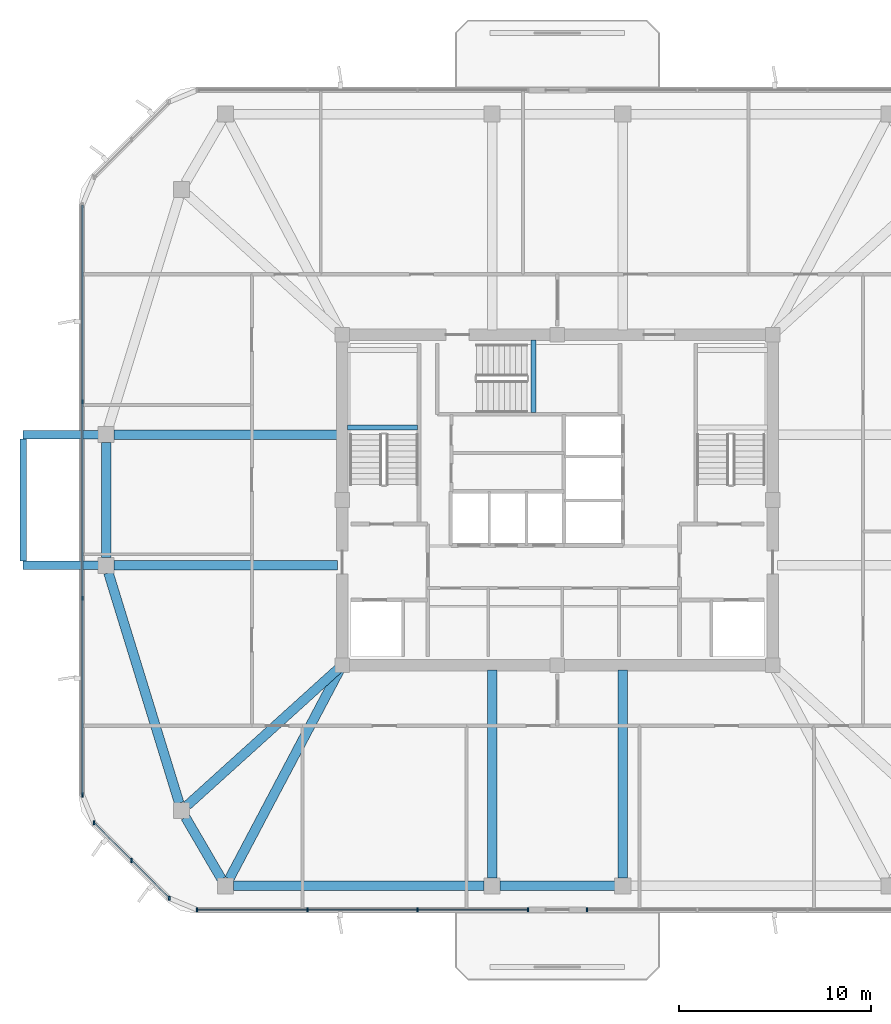
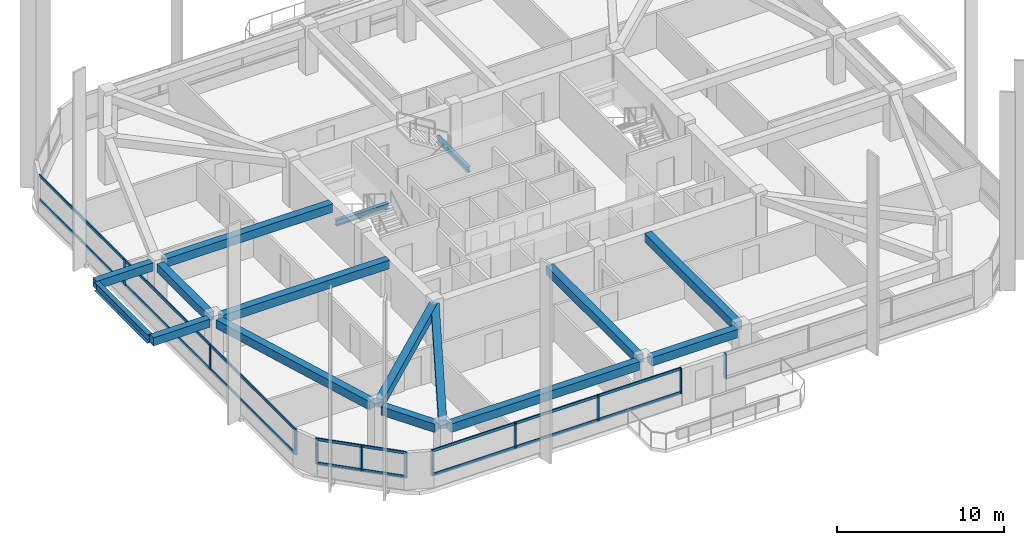
# One storey, part 2 of 12: 17 members, 16 beams, 4 elements without a shape of their own.
"""IFC4 building model written with IfcOpenShell, lengths in metres."""

from ifc_helpers import new_model, si_unit, derived_unit, direction, frame, origin, origin_2d, place, context, subcontext, project, spatial, rectangle, i_section, extrude, material, material_profile, profile_set, type_object, element, aggregate, save


model = new_model("IFC4")

# Units and contexts
model_context = context("Model", 3, precision=1e-05, world=origin(), true_north=direction((0.0, 1.0)))
body_context = subcontext(model_context, "Body", "Model", "MODEL_VIEW")
ifc_project = project(units=[si_unit("LENGTHUNIT", "METRE"), si_unit("AREAUNIT", "SQUARE_METRE"), si_unit("VOLUMEUNIT", "CUBIC_METRE"), si_unit("PLANEANGLEUNIT", "RADIAN"), si_unit("MASSUNIT", "GRAM", prefix="KILO"), derived_unit("THERMALTRANSMITTANCEUNIT", [(si_unit("POWERUNIT", "WATT"), 1), (si_unit("LENGTHUNIT", "METRE"), -2), (si_unit("THERMODYNAMICTEMPERATUREUNIT", "KELVIN"), -1)])], contexts=[model_context])

# Site, building, storey
site_placement = place(None, origin())
site = spatial("IfcSite", under=ifc_project, at=site_placement, CompositionType="ELEMENT")
building_placement = place(site_placement, origin())
building = spatial("IfcBuilding", under=site, at=building_placement, Name="Koralith Skygarden Medical Center", CompositionType="ELEMENT")
storey_placement = place(building_placement, frame((0.0, 0.0, 268.02001953125)))
storey = spatial("IfcBuildingStorey", under=building, at=storey_placement, Name="L69", CompositionType="ELEMENT", Elevation=268.02001953125)

# Curtain wall, members
ifc_material_1 = material(Name="Clear Laminated Glass", Category="glass")
curtain_wall_type = type_object("IfcCurtainWallType", Name="CW-6 Zone 5 Upper Clinical Curtain Wall", PredefinedType="NOTDEFINED", material=ifc_material_1)
curtain_wall_1_placement = place(storey_placement, origin())
curtain_wall_1 = element("IfcCurtainWall", 1, at=curtain_wall_1_placement, inside=storey, type_object=curtain_wall_type, Name="Curtain Wall CW-L69-S-L", PredefinedType="NOTDEFINED")
ifc_material_2 = material(Name="Aluminium 6063-T6", Category="aluminium")
ifc_material_profile_1 = material_profile(ifc_material_2, rectangle(XDim=0.0830078125, YDim=0.219970703125, at=origin_2d()), Name="MUL83X220")
ifc_profile_set_1 = profile_set([ifc_material_profile_1], Name="Aluminium 6063-T6")
member_type_1 = type_object("IfcMemberType", Name="CW-6 Extruded Mullion 83x220", PredefinedType="MULLION", material=ifc_profile_set_1)
member_1_placement = place(storey_placement, frame((18.2548828125, 4.580078125, 0.85009765625), z_axis=(0.0, 0.0, 1.0), x_axis=(1.0, 0.0, 0.0)))
member_1 = element("IfcMember", 2, at=member_1_placement, type_object=member_type_1, Name="CW-L69-S-L Mullion 1", PredefinedType="MULLION", context=body_context, shape_type="SweptSolid", body=[
    extrude(rectangle(XDim=0.0830078125, YDim=0.219970703125, at=origin_2d()), origin(), (0.0, 0.0, 1.0), 1.83984375),
])
member_2_placement = place(storey_placement, frame((23.989990234375, 4.580078125, 0.85009765625), z_axis=(0.0, 0.0, 1.0), x_axis=(1.0, 0.0, 0.0)))
member_2 = element("IfcMember", 3, at=member_2_placement, type_object=member_type_1, Name="CW-L69-S-L Mullion 2", PredefinedType="MULLION", context=body_context, shape_type="SweptSolid", body=[
    extrude(rectangle(XDim=0.0830078125, YDim=0.219970703125, at=origin_2d()), origin(), (0.0, 0.0, 1.0), 1.83984375),
])
member_3_placement = place(storey_placement, frame((29.72412109375, 4.580078125, 0.85009765625), z_axis=(0.0, 0.0, 1.0), x_axis=(1.0, 0.0, 0.0)))
member_3 = element("IfcMember", 4, at=member_3_placement, type_object=member_type_1, Name="CW-L69-S-L Mullion 3", PredefinedType="MULLION", context=body_context, shape_type="SweptSolid", body=[
    extrude(rectangle(XDim=0.0830078125, YDim=0.219970703125, at=origin_2d()), origin(), (0.0, 0.0, 1.0), 1.83984375),
])
member_4_placement = place(storey_placement, frame((35.458984375, 4.580078125, 0.85009765625), z_axis=(0.0, 0.0, 1.0), x_axis=(1.0, 0.0, 0.0)))
member_4 = element("IfcMember", 5, at=member_4_placement, type_object=member_type_1, Name="CW-L69-S-L Mullion 4", PredefinedType="MULLION", context=body_context, shape_type="SweptSolid", body=[
    extrude(rectangle(XDim=0.0830078125, YDim=0.219970703125, at=origin_2d()), origin(), (0.0, 0.0, 1.0), 1.83984375),
])

# Curtain wall, member
curtain_wall_2_placement = place(storey_placement, origin())
curtain_wall_2 = element("IfcCurtainWall", 6, at=curtain_wall_2_placement, inside=storey, type_object=curtain_wall_type, Name="Curtain Wall CW-L69-S-R", PredefinedType="NOTDEFINED")
member_5_placement = place(storey_placement, frame((38.5390625, 4.580078125, 0.85009765625), z_axis=(0.0, 0.0, 1.0), x_axis=(1.0, 0.0, 0.0)))
member_5 = element("IfcMember", 7, at=member_5_placement, type_object=member_type_1, Name="CW-L69-S-R Mullion 1", PredefinedType="MULLION", context=body_context, shape_type="SweptSolid", body=[
    extrude(rectangle(XDim=0.0830078125, YDim=0.219970703125, at=origin_2d()), origin(), (0.0, 0.0, 1.0), 1.83984375),
])
aggregate(curtain_wall_2, [member_5])

# Curtain wall, members
curtain_wall_3_placement = place(storey_placement, origin())
curtain_wall_3 = element("IfcCurtainWall", 8, at=curtain_wall_3_placement, inside=storey, type_object=curtain_wall_type, Name="Curtain Wall CW-L69-W", PredefinedType="NOTDEFINED")
member_6_placement = place(storey_placement, frame((12.280029296875, 31.014892578125, 0.85009765625), z_axis=(0.0, 0.0, 1.0), x_axis=(1.0, 0.0, 0.0)))
member_6 = element("IfcMember", 9, at=member_6_placement, type_object=member_type_1, Name="CW-L69-W Mullion 2", PredefinedType="MULLION", context=body_context, shape_type="SweptSolid", body=[
    extrude(rectangle(XDim=0.0830078125, YDim=0.219970703125, at=origin_2d()), origin(), (0.0, 0.0, 1.0), 1.83984375),
])
member_7_placement = place(storey_placement, frame((12.280029296875, 20.784912109375, 0.85009765625), z_axis=(0.0, 0.0, 1.0), x_axis=(1.0, 0.0, 0.0)))
member_7 = element("IfcMember", 10, at=member_7_placement, type_object=member_type_1, Name="CW-L69-W Mullion 3", PredefinedType="MULLION", context=body_context, shape_type="SweptSolid", body=[
    extrude(rectangle(XDim=0.0830078125, YDim=0.219970703125, at=origin_2d()), origin(), (0.0, 0.0, 1.0), 1.83984375),
])
member_8_placement = place(storey_placement, frame((12.280029296875, 10.554931640625, 0.85009765625), z_axis=(0.0, 0.0, 1.0), x_axis=(1.0, 0.0, 0.0)))
member_8 = element("IfcMember", 11, at=member_8_placement, type_object=member_type_1, Name="CW-L69-W Mullion 4", PredefinedType="MULLION", context=body_context, shape_type="SweptSolid", body=[
    extrude(rectangle(XDim=0.0830078125, YDim=0.219970703125, at=origin_2d()), origin(), (0.0, 0.0, 1.0), 1.83984375),
])

curtain_wall_4_placement = place(storey_placement, origin())
curtain_wall_4 = element("IfcCurtainWall", 12, at=curtain_wall_4_placement, inside=storey, type_object=curtain_wall_type, Name="Curtain Wall CW-L69-SW", PredefinedType="NOTDEFINED")
member_9_placement = place(storey_placement, frame((12.881103515625, 9.10400390625, 0.85009765625), z_axis=(0.0, 0.0, 1.0), x_axis=(1.0, 0.0, 0.0)))
member_9 = element("IfcMember", 13, at=member_9_placement, type_object=member_type_1, Name="CW-L69-SW Mullion 1", PredefinedType="MULLION", context=body_context, shape_type="SweptSolid", body=[
    extrude(rectangle(XDim=0.0830078125, YDim=0.219970703125, at=origin_2d()), origin(), (0.0, 0.0, 1.0), 1.83984375),
])
member_10_placement = place(storey_placement, frame((14.842041015625, 7.14306640625, 0.85009765625), z_axis=(0.0, 0.0, 1.0), x_axis=(1.0, 0.0, 0.0)))
member_10 = element("IfcMember", 14, at=member_10_placement, type_object=member_type_1, Name="CW-L69-SW Mullion 2", PredefinedType="MULLION", context=body_context, shape_type="SweptSolid", body=[
    extrude(rectangle(XDim=0.0830078125, YDim=0.219970703125, at=origin_2d()), origin(), (0.0, 0.0, 1.0), 1.83984375),
])
member_11_placement = place(storey_placement, frame((16.803955078125, 5.180908203125, 0.85009765625), z_axis=(0.0, 0.0, 1.0), x_axis=(1.0, 0.0, 0.0)))
member_11 = element("IfcMember", 15, at=member_11_placement, type_object=member_type_1, Name="CW-L69-SW Mullion 3", PredefinedType="MULLION", context=body_context, shape_type="SweptSolid", body=[
    extrude(rectangle(XDim=0.0830078125, YDim=0.219970703125, at=origin_2d()), origin(), (0.0, 0.0, 1.0), 1.83984375),
])

# Member
ifc_material_profile_2 = material_profile(ifc_material_2, rectangle(XDim=0.077880859375, YDim=0.197998046875, at=origin_2d()), Name="TRN78X198")
ifc_profile_set_2 = profile_set([ifc_material_profile_2], Name="Aluminium 6063-T6")
member_type_2 = type_object("IfcMemberType", Name="CW-6 Thermal Transom 78x198", PredefinedType="USERDEFINED", material=ifc_profile_set_2)
member_12_placement = place(storey_placement, frame((18.2548828125, 4.580078125, 0.89990234375), z_axis=(1.0, 0.0, 0.0), x_axis=(0.0, 1.0, 0.0)))
member_12 = element("IfcMember", 16, at=member_12_placement, type_object=member_type_2, Name="CW-L69-S-L Transom 1", ObjectType="TRANSOM", PredefinedType="USERDEFINED", context=body_context, shape_type="SweptSolid", body=[
    extrude(rectangle(XDim=0.077880859375, YDim=0.197998046875, at=origin_2d()), origin(), (0.0, 0.0, 1.0), 17.2041015625),
])

member_13_placement = place(storey_placement, frame((18.2548828125, 4.580078125, 2.639892578125), z_axis=(1.0, 0.0, 0.0), x_axis=(0.0, 1.0, 0.0)))
member_13 = element("IfcMember", 17, at=member_13_placement, type_object=member_type_2, Name="CW-L69-S-L Transom 2", ObjectType="TRANSOM", PredefinedType="USERDEFINED", context=body_context, shape_type="SweptSolid", body=[
    extrude(rectangle(XDim=0.077880859375, YDim=0.197998046875, at=origin_2d()), origin(), (0.0, 0.0, 1.0), 17.2041015625),
])

aggregate(curtain_wall_1, [member_1, member_2, member_3, member_4, member_12, member_13])

member_14_placement = place(storey_placement, frame((12.280029296875, 41.2451171875, 0.89990234375), z_axis=(0.0, -1.0, 0.0), x_axis=(1.0, 0.0, 0.0)))
member_14 = element("IfcMember", 18, at=member_14_placement, type_object=member_type_2, Name="CW-L69-W Transom 1", ObjectType="TRANSOM", PredefinedType="USERDEFINED", context=body_context, shape_type="SweptSolid", body=[
    extrude(rectangle(XDim=0.077880859375, YDim=0.197998046875, at=origin_2d()), origin(), (0.0, 0.0, 1.0), 30.690185546875),
])

member_15_placement = place(storey_placement, frame((12.280029296875, 41.2451171875, 2.639892578125), z_axis=(0.0, -1.0, 0.0), x_axis=(1.0, 0.0, 0.0)))
member_15 = element("IfcMember", 19, at=member_15_placement, type_object=member_type_2, Name="CW-L69-W Transom 2", ObjectType="TRANSOM", PredefinedType="USERDEFINED", context=body_context, shape_type="SweptSolid", body=[
    extrude(rectangle(XDim=0.077880859375, YDim=0.197998046875, at=origin_2d()), origin(), (0.0, 0.0, 1.0), 30.690185546875),
])

aggregate(curtain_wall_3, [member_6, member_7, member_8, member_14, member_15])

member_16_placement = place(storey_placement, frame((12.881103515625, 9.10400390625, 0.89990234375), z_axis=(0.707084777957, -0.707128783731, 0.0), x_axis=(0.707128783731, 0.707084777957, 0.0)))
member_16 = element("IfcMember", 20, at=member_16_placement, type_object=member_type_2, Name="CW-L69-SW Transom 1", ObjectType="TRANSOM", PredefinedType="USERDEFINED", context=body_context, shape_type="SweptSolid", body=[
    extrude(rectangle(XDim=0.077880859375, YDim=0.197998046875, at=origin_2d()), origin(), (0.0, 0.0, 1.0), 5.5478515625),
])

member_17_placement = place(storey_placement, frame((12.881103515625, 9.10400390625, 2.639892578125), z_axis=(0.707084777957, -0.707128783731, 0.0), x_axis=(0.707128783731, 0.707084777957, 0.0)))
member_17 = element("IfcMember", 21, at=member_17_placement, type_object=member_type_2, Name="CW-L69-SW Transom 2", ObjectType="TRANSOM", PredefinedType="USERDEFINED", context=body_context, shape_type="SweptSolid", body=[
    extrude(rectangle(XDim=0.077880859375, YDim=0.197998046875, at=origin_2d()), origin(), (0.0, 0.0, 1.0), 5.5478515625),
])

aggregate(curtain_wall_4, [member_9, member_10, member_11, member_16, member_17])

# Beams
ifc_material_3 = material(Name="Steel ASTM A992 Grade 50", Category="steel")
ifc_material_profile_3 = material_profile(ifc_material_3, i_section(OverallWidth=0.326904296875, OverallDepth=0.6220703125, WebThickness=0.015380859375, FlangeThickness=0.0244140625, at=origin_2d()), Name="W24X131")
ifc_profile_set_3 = profile_set([ifc_material_profile_3], Name="Steel ASTM A992 Grade 50")
beam_type_1 = type_object("IfcBeamType", Name="Cantilever Tie Beam W24X131", PredefinedType="BEAM", material=ifc_profile_set_3)
beam_1_placement = place(storey_placement, frame((9.199951171875, 22.719970703125, 3.029052734375), z_axis=(0.0, 1.0, 0.0), x_axis=(-1.0, 0.0, 0.0)))
element("IfcBeam", 22, at=beam_1_placement, inside=storey, type_object=beam_type_1, Name="L70 W Balcony Tip Tie Beam", PredefinedType="BEAM", context=body_context, shape_type="SweptSolid", body=[
    extrude(i_section(OverallWidth=0.326904296875, OverallDepth=0.6220703125, WebThickness=0.015380859375, FlangeThickness=0.0244140625, at=origin_2d()), origin(), (0.0, 0.0, 1.0), 6.360107421875),
])
ifc_material_profile_4 = material_profile(ifc_material_3, i_section(OverallWidth=0.260009765625, OverallDepth=0.4150390625, WebThickness=0.010009765625, FlangeThickness=0.016845703125, at=origin_2d()), Name="W16X67")
ifc_profile_set_4 = profile_set([ifc_material_profile_4], Name="Steel ASTM A992 Grade 50")
beam_type_2 = type_object("IfcBeamType", Name="Clinical Floor Joist W16X67", PredefinedType="JOIST", material=ifc_profile_set_4)
beam_2_placement = place(storey_placement, frame((26.080078125, 29.659912109375, 1.39306640625), z_axis=(1.0, 0.0, 0.0), x_axis=(0.0, 1.0, 0.0)))
element("IfcBeam", 23, at=beam_2_placement, inside=storey, type_object=beam_type_2, Name="L69 Stair ST1 Half-Landing Support Beam 1A", PredefinedType="JOIST", context=body_context, shape_type="SweptSolid", body=[
    extrude(i_section(OverallWidth=0.260009765625, OverallDepth=0.4150390625, WebThickness=0.010009765625, FlangeThickness=0.016845703125, at=origin_2d()), origin(), (0.0, 0.0, 1.0), 3.639892578125),
])
beam_3_placement = place(storey_placement, frame((35.760009765625, 30.43994140625, 1.39306640625), z_axis=(0.0, 1.0, 0.0), x_axis=(-1.0, 0.0, 0.0)))
element("IfcBeam", 24, at=beam_3_placement, inside=storey, type_object=beam_type_2, Name="L69 Stair ST3 Half-Landing Support Beam 1A", PredefinedType="JOIST", context=body_context, shape_type="SweptSolid", body=[
    extrude(i_section(OverallWidth=0.260009765625, OverallDepth=0.4150390625, WebThickness=0.010009765625, FlangeThickness=0.016845703125, at=origin_2d()), origin(), (0.0, 0.0, 1.0), 3.780029296875),
])
ifc_material_4 = material(Name="Concrete C45/55", Category="concrete")
ifc_material_profile_5 = material_profile(ifc_material_4, rectangle(XDim=0.449951171875, YDim=0.60009765625, at=origin_2d()), Name="RCB450X600")
ifc_profile_set_5 = profile_set([ifc_material_profile_5], Name="Concrete C45/55")
beam_type_3 = type_object("IfcBeamType", Name="Planted Balcony Cantilever Beam RCB450X600", PredefinedType="BEAM", material=ifc_profile_set_5)
for number, where, z_axis, x_axis, name in (
    (25, (13.1201171875, 22.5, 3.0400390625), (-1.0, 0.0, 0.0), (0.0, -1.0, 0.0), "L70 W Balcony Cantilever Beam A"),
    (26, (13.1201171875, 29.300048828125, 3.0400390625), (-1.0, 0.0, 0.0), (0.0, -1.0, 0.0), "L70 W Balcony Cantilever Beam B"),
):
    element("IfcBeam", number, at=place(storey_placement, frame(where, z_axis=z_axis, x_axis=x_axis)), inside=storey, type_object=beam_type_3, Name=name, PredefinedType="BEAM", context=body_context, shape_type="SweptSolid", body=[
        extrude(rectangle(XDim=0.449951171875, YDim=0.60009765625, at=origin_2d()), origin(), (0.0, 0.0, 1.0), 3.920166015625),
    ])
ifc_material_profile_6 = material_profile(ifc_material_4, rectangle(XDim=0.5, YDim=0.6201171875, at=origin_2d()), Name="RCB500X620")
ifc_profile_set_6 = profile_set([ifc_material_profile_6], Name="Concrete C45/55")
beam_type_4 = type_object("IfcBeamType", Name="Upper Radial Collector Beam RCB500X620", PredefinedType="BEAM", material=ifc_profile_set_6)
beam_4_placement = place(storey_placement, frame((25.550048828125, 22.5, 3.010009765625), z_axis=(-1.0, 0.0, 0.0), x_axis=(0.0, -1.0, 0.0)))
element("IfcBeam", 27, at=beam_4_placement, inside=storey, type_object=beam_type_4, Name="L69 Radial Collector Beam RB-01", PredefinedType="BEAM", context=body_context, shape_type="SweptSolid", body=[
    extrude(rectangle(XDim=0.5, YDim=0.6201171875, at=origin_2d()), origin(), (0.0, 0.0, 1.0), 11.6201171875),
])
beam_5_placement = place(storey_placement, frame((25.614990234375, 17.132080078125, 3.010009765625), z_axis=(-0.741736323186, -0.670691603397, 0.0), x_axis=(0.670691603397, -0.741736323186, 0.0)))
element("IfcBeam", 28, at=beam_5_placement, inside=storey, type_object=beam_type_4, Name="L69 Radial Collector Beam RB-02", PredefinedType="BEAM", context=body_context, shape_type="SweptSolid", body=[
    extrude(rectangle(XDim=0.5, YDim=0.6201171875, at=origin_2d()), origin(), (0.0, 0.0, 1.0), 10.61181640625),
])
beam_6_placement = place(storey_placement, frame((25.68310546875, 17.0791015625, 3.010009765625), z_axis=(-0.46724871287, -0.884125918816, 0.0), x_axis=(0.884125918816, -0.46724871287, 0.0)))
element("IfcBeam", 29, at=beam_6_placement, inside=storey, type_object=beam_type_4, Name="L69 Radial Collector Beam RB-03", PredefinedType="BEAM", context=body_context, shape_type="SweptSolid", body=[
    extrude(rectangle(XDim=0.5, YDim=0.6201171875, at=origin_2d()), origin(), (0.0, 0.0, 1.0), 12.325439453125),
])
for number, where, z_axis, x_axis, name in (
    (30, (33.60009765625, 17.050048828125, 3.010009765625), (0.0, -1.0, 0.0), (1.0, 0.0, 0.0), "L69 Radial Collector Beam RB-04"),
    (31, (40.39990234375, 17.050048828125, 3.010009765625), (0.0, -1.0, 0.0), (1.0, 0.0, 0.0), "L69 Radial Collector Beam RB-05"),
):
    element("IfcBeam", number, at=place(storey_placement, frame(where, z_axis=z_axis, x_axis=x_axis)), inside=storey, type_object=beam_type_4, Name=name, PredefinedType="BEAM", context=body_context, shape_type="SweptSolid", body=[
        extrude(rectangle(XDim=0.5, YDim=0.6201171875, at=origin_2d()), origin(), (0.0, 0.0, 1.0), 10.820068359375),
    ])
beam_7_placement = place(storey_placement, frame((25.550048828125, 29.300048828125, 3.010009765625), z_axis=(-1.0, 0.0, 0.0), x_axis=(0.0, -1.0, 0.0)))
element("IfcBeam", 32, at=beam_7_placement, inside=storey, type_object=beam_type_4, Name="L69 Radial Collector Beam RB-16", PredefinedType="BEAM", context=body_context, shape_type="SweptSolid", body=[
    extrude(rectangle(XDim=0.5, YDim=0.6201171875, at=origin_2d()), origin(), (0.0, 0.0, 1.0), 11.6201171875),
])
ifc_material_profile_7 = material_profile(ifc_material_4, rectangle(XDim=0.5, YDim=0.6201171875, at=origin_2d()), Name="RCB500X620")
ifc_profile_set_7 = profile_set([ifc_material_profile_7], Name="Concrete C45/55")
beam_type_5 = type_object("IfcBeamType", Name="Zone 4-5 Spandrel Beam RCB500X620", PredefinedType="SPANDREL", material=ifc_profile_set_7)
beam_8_placement = place(storey_placement, frame((13.639892578125, 22.10791015625, 3.010009765625), z_axis=(0.293743494914, -0.955884281279, 0.0), x_axis=(0.955884281279, 0.293743494914, 0.0)))
element("IfcBeam", 33, at=beam_8_placement, inside=storey, type_object=beam_type_5, Name="L69 Perimeter Spandrel Beam SP-01", PredefinedType="SPANDREL", context=body_context, shape_type="SweptSolid", body=[
    extrude(rectangle(XDim=0.5, YDim=0.6201171875, at=origin_2d()), origin(), (0.0, 0.0, 1.0), 12.528564453125),
])
beam_9_placement = place(storey_placement, frame((17.64697265625, 9.385986328125, 3.010009765625), z_axis=(0.50473571007, -0.863273921175, 0.0), x_axis=(0.863273921175, 0.50473571007, 0.0)))
element("IfcBeam", 34, at=beam_9_placement, inside=storey, type_object=beam_type_5, Name="L69 Perimeter Spandrel Beam SP-02", PredefinedType="SPANDREL", context=body_context, shape_type="SweptSolid", body=[
    extrude(rectangle(XDim=0.5, YDim=0.6201171875, at=origin_2d()), origin(), (0.0, 0.0, 1.0), 3.720703125),
])
beam_10_placement = place(storey_placement, frame((20.14208984375, 5.820068359375, 3.010009765625), z_axis=(1.0, 0.0, 0.0), x_axis=(0.0, 1.0, 0.0)))
element("IfcBeam", 35, at=beam_10_placement, inside=storey, type_object=beam_type_5, Name="L69 Perimeter Spandrel Beam SP-03", PredefinedType="SPANDREL", context=body_context, shape_type="SweptSolid", body=[
    extrude(rectangle(XDim=0.5, YDim=0.6201171875, at=origin_2d()), origin(), (0.0, 0.0, 1.0), 13.0478515625),
])
for number, where, z_axis, x_axis, name in (
    (36, (34.010009765625, 5.820068359375, 3.010009765625), (1.0, 0.0, 0.0), (0.0, 1.0, 0.0), "L69 Perimeter Spandrel Beam SP-04"),
    (37, (13.52001953125, 28.889892578125, 3.010009765625), (0.0, -1.0, 0.0), (1.0, 0.0, 0.0), "L69 Perimeter Spandrel Beam SP-16"),
):
    element("IfcBeam", number, at=place(storey_placement, frame(where, z_axis=z_axis, x_axis=x_axis)), inside=storey, type_object=beam_type_5, Name=name, PredefinedType="SPANDREL", context=body_context, shape_type="SweptSolid", body=[
        extrude(rectangle(XDim=0.5, YDim=0.6201171875, at=origin_2d()), origin(), (0.0, 0.0, 1.0), 5.97998046875),
    ])

save(model, "model.ifc")
